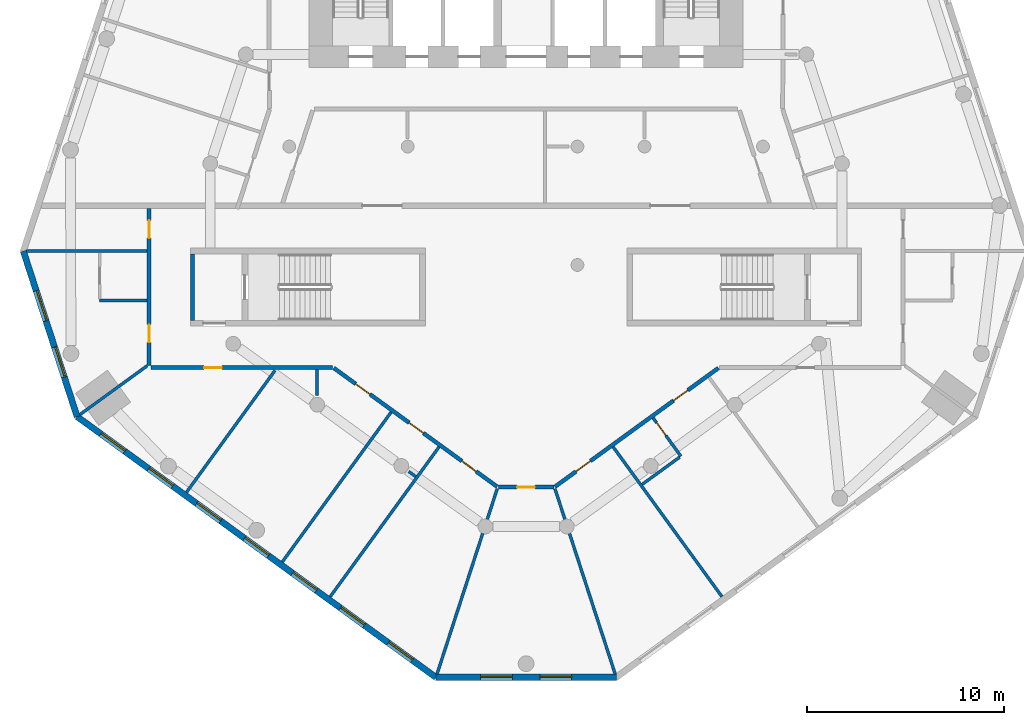
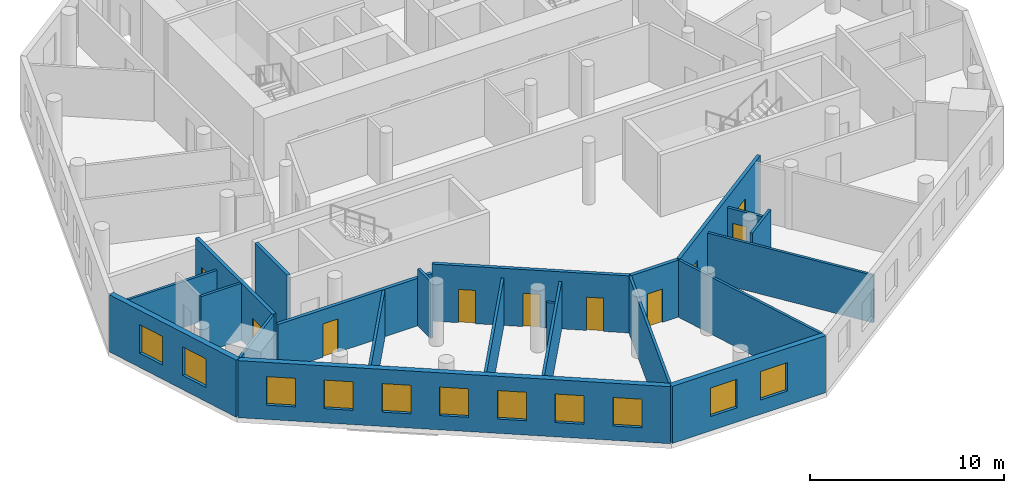
# One storey, part 2 of 9: 22 walls, 11 windows, 10 doors, 21 openings.
"""IFC4 building model written with IfcOpenShell, lengths in metres."""

from ifc_helpers import new_model, si_unit, direction, frame, frame_2d, origin, place, context, subcontext, project, spatial, rectangle, extrude, material, layer, layer_set, type_object, element, fill, save


model = new_model("IFC4")

# Units and contexts
model_context = context("Model", 3, precision=1e-05, world=origin(), true_north=direction((0.0, 1.0)))
body_context = subcontext(model_context, "Body", "Model", "MODEL_VIEW")
ifc_project = project(units=[si_unit("LENGTHUNIT", "METRE"), si_unit("AREAUNIT", "SQUARE_METRE"), si_unit("VOLUMEUNIT", "CUBIC_METRE"), si_unit("PLANEANGLEUNIT", "RADIAN"), si_unit("MASSUNIT", "GRAM", prefix="KILO")], contexts=[model_context])

# Site, building, storey
site_placement = place(None, origin())
site = spatial("IfcSite", under=ifc_project, at=site_placement, CompositionType="ELEMENT")
building_placement = place(site_placement, origin())
building = spatial("IfcBuilding", under=site, at=building_placement, Name="White Candle Pilgrim Tower", CompositionType="ELEMENT")
storey_placement = place(building_placement, frame((0.0, 0.0, 129.800048828125)))
storey = spatial("IfcBuildingStorey", under=building, at=storey_placement, Name="L29", CompositionType="ELEMENT", Elevation=129.800048828125)

# Wall
ifc_material_1 = material(Name="Concrete C60/75", Category="concrete")
ifc_layer_1 = layer(ifc_material_1, 0.199951171875)
ifc_layer_set_1 = layer_set([ifc_layer_1], Name="Core wall 200 mm Concrete C60/75")
wall_type_1 = type_object("IfcWallType", Name="Core wall 200 mm Concrete C60/75", PredefinedType="SHEAR", material=ifc_layer_set_1)
wall_1_placement = place(storey_placement, frame((53.10009765625, 58.199951171875, 0.0), z_axis=(0.0, 0.0, 1.0), x_axis=(0.0, 1.0, 0.0)))
element("IfcWall", 1, at=wall_1_placement, inside=storey, type_object=wall_type_1, Name="WL-L29-C03", PredefinedType="SHEAR", context=body_context, shape_type="SweptSolid", body=[
    extrude(rectangle(XDim=3.35009765625, YDim=0.199951171875, at=frame_2d((1.675048828125, 0.0))), origin(), (0.0, 0.0, 1.0), 3.89990234375),
])

# Wall, openings, doors
ifc_material_2 = material(Name="Gypsum board on steel studs", Category="steel")
ifc_layer_2 = layer(ifc_material_2, 0.199951171875)
ifc_layer_set_2 = layer_set([ifc_layer_2], Name="Corridor wall 200 mm EI 45")
wall_type_2 = type_object("IfcWallType", Name="Corridor wall 200 mm EI 45", PredefinedType="PARTITIONING", material=ifc_layer_set_2)
wall_2_placement = place(storey_placement, frame((79.7412109375, 55.781005859375, 0.0), z_axis=(0.0, 0.0, 1.0), x_axis=(-0.809014540142, -0.587788630239, 0.0)))
wall_2 = element("IfcWall", 2, at=wall_2_placement, inside=storey, type_object=wall_type_2, Name="WL-L29-P008", PredefinedType="PARTITIONING", context=body_context, shape_type="SweptSolid", body=[
    extrude(rectangle(XDim=10.2333984375, YDim=0.199951171875, at=frame_2d((5.11669921875, 0.0))), origin(), (0.0, 0.0, 1.0), 3.599853515625),
])
opening_1_placement = place(wall_2_placement, frame((8.014404296875, 0.0, 0.0)))
opening_1 = element("IfcOpeningElement", 3, at=opening_1_placement, cuts=wall_2, Name="Opening T09-108", PredefinedType="OPENING", context=body_context, shape_type="SweptSolid", body=[
    extrude(rectangle(XDim=0.89990234375, YDim=2.10009765625, at=frame_2d((0.449951171875, 1.050048828125))), frame((0.0, 0.10986328125, 0.0), z_axis=(0.0, -1.0, 0.0), x_axis=(1.0, 0.0, 0.0)), (0.0, 0.0, 1.0), 0.219970703125),
])
opening_2_placement = place(wall_2_placement, frame((1.91259765625, 0.0, 0.0)))
opening_2 = element("IfcOpeningElement", 4, at=opening_2_placement, cuts=wall_2, Name="Opening T09-110", PredefinedType="OPENING", context=body_context, shape_type="SweptSolid", body=[
    extrude(rectangle(XDim=0.89990234375, YDim=2.10009765625, at=frame_2d((0.449951171875, 1.050048828125))), frame((0.0, 0.10986328125, 0.0), z_axis=(0.0, -1.0, 0.0), x_axis=(1.0, 0.0, 0.0)), (0.0, 0.0, 1.0), 0.219970703125),
])
ifc_material_3 = material(Name="Steel door leaf", Category="steel")
door_type_1 = type_object("IfcDoorType", Name="Fire door 900 x 2100 EI 30", OperationType="NOTDEFINED", PredefinedType="DOOR", material=ifc_material_3)
door_1_placement = place(opening_1_placement, origin())
door_1 = element("IfcDoor", 5, at=door_1_placement, inside=storey, type_object=door_type_1, Name="Door T09-108", OperationType="SINGLE_SWING_RIGHT", OverallHeight=2.10009765625, OverallWidth=0.89990234375, PredefinedType="DOOR", context=body_context, shape_type="SweptSolid", body=[
    extrude(rectangle(XDim=0.89990234375, YDim=2.10009765625, at=frame_2d((0.449951171875, 1.050048828125))), frame((0.0, 0.02490234375, 0.0), z_axis=(0.0, -1.0, 0.0), x_axis=(1.0, 0.0, 0.0)), (0.0, 0.0, 1.0), 0.050048828125),
])
fill(opening_1, door_1)
door_2_placement = place(opening_2_placement, origin())
door_2 = element("IfcDoor", 6, at=door_2_placement, inside=storey, type_object=door_type_1, Name="Door T09-110", OperationType="SINGLE_SWING_RIGHT", OverallHeight=2.10009765625, OverallWidth=0.89990234375, PredefinedType="DOOR", context=body_context, shape_type="SweptSolid", body=[
    extrude(rectangle(XDim=0.89990234375, YDim=2.10009765625, at=frame_2d((0.449951171875, 1.050048828125))), frame((0.0, 0.02490234375, 0.0), z_axis=(0.0, -1.0, 0.0), x_axis=(1.0, 0.0, 0.0)), (0.0, 0.0, 1.0), 0.050048828125),
])
fill(opening_2, door_2)

# Wall, opening, door
wall_3_placement = place(storey_placement, frame((71.4033203125, 49.74658203125, 0.0), z_axis=(0.0, 0.0, 1.0), x_axis=(-1.0, 0.0, 0.0)))
wall_3 = element("IfcWall", 7, at=wall_3_placement, inside=storey, type_object=wall_type_2, Name="WL-L29-P009", PredefinedType="PARTITIONING", context=body_context, shape_type="SweptSolid", body=[
    extrude(rectangle(XDim=2.806640625, YDim=0.199951171875, at=frame_2d((1.4033203125, 0.0))), origin(), (0.0, 0.0, 1.0), 3.599853515625),
])
opening_3_placement = place(wall_3_placement, frame((0.953369140625, 0.0, 0.0)))
opening_3 = element("IfcOpeningElement", 8, at=opening_3_placement, cuts=wall_3, Name="Opening T09-107", PredefinedType="OPENING", context=body_context, shape_type="SweptSolid", body=[
    extrude(rectangle(XDim=0.89990234375, YDim=2.10009765625, at=frame_2d((0.449951171875, 1.050048828125))), frame((0.0, 0.10986328125, 0.0), z_axis=(0.0, -1.0, 0.0), x_axis=(1.0, 0.0, 0.0)), (0.0, 0.0, 1.0), 0.219970703125),
])
door_3_placement = place(opening_3_placement, origin())
door_3 = element("IfcDoor", 9, at=door_3_placement, inside=storey, type_object=door_type_1, Name="Door T09-107", OperationType="SINGLE_SWING_LEFT", OverallHeight=2.10009765625, OverallWidth=0.89990234375, PredefinedType="DOOR", context=body_context, shape_type="SweptSolid", body=[
    extrude(rectangle(XDim=0.89990234375, YDim=2.10009765625, at=frame_2d((0.449951171875, 1.050048828125))), frame((0.0, 0.02490234375, 0.0), z_axis=(0.0, -1.0, 0.0), x_axis=(1.0, 0.0, 0.0)), (0.0, 0.0, 1.0), 0.050048828125),
])
fill(opening_3, door_3)

# Wall, openings, doors
wall_4_placement = place(storey_placement, frame((68.537841796875, 49.765869140625, 0.0), z_axis=(0.0, 0.0, 1.0), x_axis=(-0.809014540142, 0.587788630239, 0.0)))
wall_4 = element("IfcWall", 10, at=wall_4_placement, inside=storey, type_object=wall_type_2, Name="WL-L29-P010", PredefinedType="PARTITIONING", context=body_context, shape_type="SweptSolid", body=[
    extrude(rectangle(XDim=10.2333984375, YDim=0.199951171875, at=frame_2d((5.11669921875, 0.0))), origin(), (0.0, 0.0, 1.0), 3.599853515625),
])
opening_4_placement = place(wall_4_placement, frame((7.968505859375, 0.0, 0.0)))
opening_4 = element("IfcOpeningElement", 11, at=opening_4_placement, cuts=wall_4, Name="Opening T09-104", PredefinedType="OPENING", context=body_context, shape_type="SweptSolid", body=[
    extrude(rectangle(XDim=0.89990234375, YDim=2.10009765625, at=frame_2d((0.449951171875, 1.050048828125))), frame((0.0, 0.10986328125, 0.0), z_axis=(0.0, -1.0, 0.0), x_axis=(1.0, 0.0, 0.0)), (0.0, 0.0, 1.0), 0.219970703125),
])
opening_5_placement = place(wall_4_placement, frame((4.620849609375, 0.0, 0.0)))
opening_5 = element("IfcOpeningElement", 12, at=opening_5_placement, cuts=wall_4, Name="Opening T09-105", PredefinedType="OPENING", context=body_context, shape_type="SweptSolid", body=[
    extrude(rectangle(XDim=0.89990234375, YDim=2.10009765625, at=frame_2d((0.449951171875, 1.050048828125))), frame((0.0, 0.10986328125, 0.0), z_axis=(0.0, -1.0, 0.0), x_axis=(1.0, 0.0, 0.0)), (0.0, 0.0, 1.0), 0.219970703125),
])
opening_6_placement = place(wall_4_placement, frame((1.319091796875, 0.0, 0.0)))
opening_6 = element("IfcOpeningElement", 13, at=opening_6_placement, cuts=wall_4, Name="Opening T09-106", PredefinedType="OPENING", context=body_context, shape_type="SweptSolid", body=[
    extrude(rectangle(XDim=0.89990234375, YDim=2.10009765625, at=frame_2d((0.449951171875, 1.050048828125))), frame((0.0, 0.10986328125, 0.0), z_axis=(0.0, -1.0, 0.0), x_axis=(1.0, 0.0, 0.0)), (0.0, 0.0, 1.0), 0.219970703125),
])
door_4_placement = place(opening_4_placement, origin())
door_4 = element("IfcDoor", 14, at=door_4_placement, inside=storey, type_object=door_type_1, Name="Door T09-104", OperationType="SINGLE_SWING_RIGHT", OverallHeight=2.10009765625, OverallWidth=0.89990234375, PredefinedType="DOOR", context=body_context, shape_type="SweptSolid", body=[
    extrude(rectangle(XDim=0.89990234375, YDim=2.10009765625, at=frame_2d((0.449951171875, 1.050048828125))), frame((0.0, 0.02490234375, 0.0), z_axis=(0.0, -1.0, 0.0), x_axis=(1.0, 0.0, 0.0)), (0.0, 0.0, 1.0), 0.050048828125),
])
fill(opening_4, door_4)
door_5_placement = place(opening_5_placement, origin())
door_5 = element("IfcDoor", 15, at=door_5_placement, inside=storey, type_object=door_type_1, Name="Door T09-105", OperationType="SINGLE_SWING_LEFT", OverallHeight=2.10009765625, OverallWidth=0.89990234375, PredefinedType="DOOR", context=body_context, shape_type="SweptSolid", body=[
    extrude(rectangle(XDim=0.89990234375, YDim=2.10009765625, at=frame_2d((0.449951171875, 1.050048828125))), frame((0.0, 0.02490234375, 0.0), z_axis=(0.0, -1.0, 0.0), x_axis=(1.0, 0.0, 0.0)), (0.0, 0.0, 1.0), 0.050048828125),
])
fill(opening_5, door_5)
door_6_placement = place(opening_6_placement, origin())
door_6 = element("IfcDoor", 16, at=door_6_placement, inside=storey, type_object=door_type_1, Name="Door T09-106", OperationType="SINGLE_SWING_RIGHT", OverallHeight=2.10009765625, OverallWidth=0.89990234375, PredefinedType="DOOR", context=body_context, shape_type="SweptSolid", body=[
    extrude(rectangle(XDim=0.89990234375, YDim=2.10009765625, at=frame_2d((0.449951171875, 1.050048828125))), frame((0.0, 0.02490234375, 0.0), z_axis=(0.0, -1.0, 0.0), x_axis=(1.0, 0.0, 0.0)), (0.0, 0.0, 1.0), 0.050048828125),
])
fill(opening_6, door_6)

# Wall, opening, door
wall_5_placement = place(storey_placement, frame((60.2001953125, 55.800048828125, 0.0), z_axis=(0.0, 0.0, 1.0), x_axis=(-1.0, 0.0, 0.0)))
wall_5 = element("IfcWall", 17, at=wall_5_placement, inside=storey, type_object=wall_type_2, Name="WL-L29-P011", PredefinedType="PARTITIONING", context=body_context, shape_type="SweptSolid", body=[
    extrude(rectangle(XDim=9.2001953125, YDim=0.199951171875, at=frame_2d((4.60009765625, 0.0))), origin(), (0.0, 0.0, 1.0), 3.0),
])
opening_7_placement = place(wall_5_placement, frame((5.6083984375, 0.0, 0.0)))
opening_7 = element("IfcOpeningElement", 18, at=opening_7_placement, cuts=wall_5, Name="Opening T09-103", PredefinedType="OPENING", context=body_context, shape_type="SweptSolid", body=[
    extrude(rectangle(XDim=0.89990234375, YDim=2.10009765625, at=frame_2d((0.449951171875, 1.050048828125))), frame((0.0, 0.10986328125, 0.0), z_axis=(0.0, -1.0, 0.0), x_axis=(1.0, 0.0, 0.0)), (0.0, 0.0, 1.0), 0.219970703125),
])
door_7_placement = place(opening_7_placement, origin())
door_7 = element("IfcDoor", 19, at=door_7_placement, inside=storey, type_object=door_type_1, Name="Door T09-103", OperationType="SINGLE_SWING_LEFT", OverallHeight=2.10009765625, OverallWidth=0.89990234375, PredefinedType="DOOR", context=body_context, shape_type="SweptSolid", body=[
    extrude(rectangle(XDim=0.89990234375, YDim=2.10009765625, at=frame_2d((0.449951171875, 1.050048828125))), frame((0.0, 0.02490234375, 0.0), z_axis=(0.0, -1.0, 0.0), x_axis=(1.0, 0.0, 0.0)), (0.0, 0.0, 1.0), 0.050048828125),
])
fill(opening_7, door_7)

# Wall, openings, doors
wall_6_placement = place(storey_placement, frame((50.89990234375, 55.89990234375, 0.0), z_axis=(0.0, 0.0, 1.0), x_axis=(0.0, 1.0, 0.0)))
wall_6 = element("IfcWall", 20, at=wall_6_placement, inside=storey, type_object=wall_type_2, Name="WL-L29-P012", PredefinedType="PARTITIONING", context=body_context, shape_type="SweptSolid", body=[
    extrude(rectangle(XDim=7.9501953125, YDim=0.199951171875, at=frame_2d((3.97509765625, 0.0))), origin(), (0.0, 0.0, 1.0), 3.599853515625),
])
opening_8_placement = place(wall_6_placement, frame((1.18212890625, 0.0, 0.0)))
opening_8 = element("IfcOpeningElement", 21, at=opening_8_placement, cuts=wall_6, Name="Opening T09-102", PredefinedType="OPENING", context=body_context, shape_type="SweptSolid", body=[
    extrude(rectangle(XDim=0.89990234375, YDim=2.10009765625, at=frame_2d((0.449951171875, 1.050048828125))), frame((0.0, 0.10986328125, 0.0), z_axis=(0.0, -1.0, 0.0), x_axis=(1.0, 0.0, 0.0)), (0.0, 0.0, 1.0), 0.219970703125),
])
opening_9_placement = place(wall_6_placement, frame((6.462158203125, 0.0, 0.0)))
opening_9 = element("IfcOpeningElement", 22, at=opening_9_placement, cuts=wall_6, Name="Opening T09-116", PredefinedType="OPENING", context=body_context, shape_type="SweptSolid", body=[
    extrude(rectangle(XDim=0.89990234375, YDim=2.10009765625, at=frame_2d((0.449951171875, 1.050048828125))), frame((0.0, 0.10986328125, 0.0), z_axis=(0.0, -1.0, 0.0), x_axis=(1.0, 0.0, 0.0)), (0.0, 0.0, 1.0), 0.219970703125),
])
door_8_placement = place(opening_8_placement, origin())
door_8 = element("IfcDoor", 23, at=door_8_placement, inside=storey, type_object=door_type_1, Name="Door T09-102", OperationType="SINGLE_SWING_RIGHT", OverallHeight=2.10009765625, OverallWidth=0.89990234375, PredefinedType="DOOR", context=body_context, shape_type="SweptSolid", body=[
    extrude(rectangle(XDim=0.89990234375, YDim=2.10009765625, at=frame_2d((0.449951171875, 1.050048828125))), frame((0.0, 0.02490234375, 0.0), z_axis=(0.0, -1.0, 0.0), x_axis=(1.0, 0.0, 0.0)), (0.0, 0.0, 1.0), 0.050048828125),
])
fill(opening_8, door_8)
door_9_placement = place(opening_9_placement, origin())
door_9 = element("IfcDoor", 24, at=door_9_placement, inside=storey, type_object=door_type_1, Name="Door T09-116", OperationType="SINGLE_SWING_RIGHT", OverallHeight=2.10009765625, OverallWidth=0.89990234375, PredefinedType="DOOR", context=body_context, shape_type="SweptSolid", body=[
    extrude(rectangle(XDim=0.89990234375, YDim=2.10009765625, at=frame_2d((0.449951171875, 1.050048828125))), frame((0.0, 0.02490234375, 0.0), z_axis=(0.0, -1.0, 0.0), x_axis=(1.0, 0.0, 0.0)), (0.0, 0.0, 1.0), 0.050048828125),
])
fill(opening_9, door_9)

# Wall, openings, windows
ifc_material_4 = material(Name="Precast concrete C40/50", Category="concrete")
ifc_layer_3 = layer(ifc_material_4, 0.320068359375)
ifc_layer_set_3 = layer_set([ifc_layer_3], Name="Facade wall EW1 precast concrete C40/50 pier wall with timber-lined reveals")
wall_type_3 = type_object("IfcWallType", Name="Facade wall EW1 precast concrete C40/50 pier wall with timber-lined reveals", PredefinedType="SOLIDWALL", material=ifc_layer_set_3)
wall_7_placement = place(storey_placement, frame((44.5283203125, 61.69921875, 0.0), z_axis=(0.0, 0.0, 1.0), x_axis=(0.309007169839, -0.951059708424, 0.0)))
wall_7 = element("IfcWall", 25, at=wall_7_placement, inside=storey, type_object=wall_type_3, Name="Facade wall L29 W chamfer", PredefinedType="SOLIDWALL", context=body_context, shape_type="SweptSolid", body=[
    extrude(rectangle(XDim=8.815673828125, YDim=0.320068359375, at=frame_2d((4.40771484375, 0.0))), origin(), (0.0, 0.0, 1.0), 3.599853515625),
])
opening_10_placement = place(wall_7_placement, frame((2.10791015625, 0.0, 0.89990234375)))
opening_10 = element("IfcOpeningElement", 26, at=opening_10_placement, cuts=wall_7, Name="Opening W2", PredefinedType="OPENING", context=body_context, shape_type="SweptSolid", body=[
    extrude(rectangle(XDim=1.60009765625, YDim=1.800048828125, at=frame_2d((0.800048828125, 0.89990234375))), frame((0.0, 0.169921875, 0.0), z_axis=(0.0, -1.0, 0.0), x_axis=(1.0, 0.0, 0.0)), (0.0, 0.0, 1.0), 0.340087890625),
])
opening_11_placement = place(wall_7_placement, frame((5.10791015625, 0.0, 0.89990234375)))
opening_11 = element("IfcOpeningElement", 27, at=opening_11_placement, cuts=wall_7, Name="Opening W2", PredefinedType="OPENING", context=body_context, shape_type="SweptSolid", body=[
    extrude(rectangle(XDim=1.60009765625, YDim=1.800048828125, at=frame_2d((0.800048828125, 0.89990234375))), frame((0.0, 0.169921875, 0.0), z_axis=(0.0, -1.0, 0.0), x_axis=(1.0, 0.0, 0.0)), (0.0, 0.0, 1.0), 0.340087890625),
])
ifc_material_5 = material(Name="Timber frame with triple glazing", Category="wood")
window_type_1 = type_object("IfcWindowType", Name="Window W2 1600x1800 timber frame triple glazing", PartitioningType="SINGLE_PANEL", PredefinedType="WINDOW", material=ifc_material_5)
window_1_placement = place(opening_10_placement, origin())
window_1 = element("IfcWindow", 28, at=window_1_placement, inside=storey, type_object=window_type_1, Name="Window W2 L29 W chamfer 1", OverallHeight=1.800048828125, OverallWidth=1.60009765625, PartitioningType="SINGLE_PANEL", PredefinedType="WINDOW", context=body_context, shape_type="SweptSolid", body=[
    extrude(rectangle(XDim=1.60009765625, YDim=1.800048828125, at=frame_2d((0.800048828125, 0.89990234375))), frame((0.0, 0.070068359375, 0.0), z_axis=(0.0, -1.0, 0.0), x_axis=(1.0, 0.0, 0.0)), (0.0, 0.0, 1.0), 0.06005859375),
])
fill(opening_10, window_1)
window_2_placement = place(opening_11_placement, origin())
window_2 = element("IfcWindow", 29, at=window_2_placement, inside=storey, type_object=window_type_1, Name="Window W2 L29 W chamfer 2", OverallHeight=1.800048828125, OverallWidth=1.60009765625, PartitioningType="SINGLE_PANEL", PredefinedType="WINDOW", context=body_context, shape_type="SweptSolid", body=[
    extrude(rectangle(XDim=1.60009765625, YDim=1.800048828125, at=frame_2d((0.800048828125, 0.89990234375))), frame((0.0, 0.070068359375, 0.0), z_axis=(0.0, -1.0, 0.0), x_axis=(1.0, 0.0, 0.0)), (0.0, 0.0, 1.0), 0.06005859375),
])
fill(opening_11, window_2)

wall_8_placement = place(storey_placement, frame((47.25244140625, 53.31494140625, 0.0), z_axis=(0.0, 0.0, 1.0), x_axis=(0.809018352132, -0.587783383496, 0.0)))
wall_8 = element("IfcWall", 30, at=wall_8_placement, inside=storey, type_object=wall_type_3, Name="Facade wall L29 SW", PredefinedType="SOLIDWALL", context=body_context, shape_type="SweptSolid", body=[
    extrude(rectangle(XDim=22.47119140625, YDim=0.320068359375, at=frame_2d((11.235595703125, 0.0))), origin(), (0.0, 0.0, 1.0), 3.599853515625),
])
opening_12_placement = place(wall_8_placement, frame((1.485595703125, 0.0, 0.89990234375)))
opening_12 = element("IfcOpeningElement", 31, at=opening_12_placement, cuts=wall_8, Name="Opening W1", PredefinedType="OPENING", context=body_context, shape_type="SweptSolid", body=[
    extrude(rectangle(XDim=1.5, YDim=1.800048828125, at=frame_2d((0.75, 0.89990234375))), frame((0.0, 0.169921875, 0.0), z_axis=(0.0, -1.0, 0.0), x_axis=(1.0, 0.0, 0.0)), (0.0, 0.0, 1.0), 0.340087890625),
])
opening_13_placement = place(wall_8_placement, frame((4.485595703125, 0.0, 0.89990234375)))
opening_13 = element("IfcOpeningElement", 32, at=opening_13_placement, cuts=wall_8, Name="Opening W1", PredefinedType="OPENING", context=body_context, shape_type="SweptSolid", body=[
    extrude(rectangle(XDim=1.5, YDim=1.800048828125, at=frame_2d((0.75, 0.89990234375))), frame((0.0, 0.169921875, 0.0), z_axis=(0.0, -1.0, 0.0), x_axis=(1.0, 0.0, 0.0)), (0.0, 0.0, 1.0), 0.340087890625),
])
opening_14_placement = place(wall_8_placement, frame((7.485595703125, 0.0, 0.89990234375)))
opening_14 = element("IfcOpeningElement", 33, at=opening_14_placement, cuts=wall_8, Name="Opening W1", PredefinedType="OPENING", context=body_context, shape_type="SweptSolid", body=[
    extrude(rectangle(XDim=1.5, YDim=1.800048828125, at=frame_2d((0.75, 0.89990234375))), frame((0.0, 0.169921875, 0.0), z_axis=(0.0, -1.0, 0.0), x_axis=(1.0, 0.0, 0.0)), (0.0, 0.0, 1.0), 0.340087890625),
])
opening_15_placement = place(wall_8_placement, frame((10.485595703125, 0.0, 0.89990234375)))
opening_15 = element("IfcOpeningElement", 34, at=opening_15_placement, cuts=wall_8, Name="Opening W1", PredefinedType="OPENING", context=body_context, shape_type="SweptSolid", body=[
    extrude(rectangle(XDim=1.5, YDim=1.800048828125, at=frame_2d((0.75, 0.89990234375))), frame((0.0, 0.169921875, 0.0), z_axis=(0.0, -1.0, 0.0), x_axis=(1.0, 0.0, 0.0)), (0.0, 0.0, 1.0), 0.340087890625),
])
opening_16_placement = place(wall_8_placement, frame((13.485595703125, 0.0, 0.89990234375)))
opening_16 = element("IfcOpeningElement", 35, at=opening_16_placement, cuts=wall_8, Name="Opening W1", PredefinedType="OPENING", context=body_context, shape_type="SweptSolid", body=[
    extrude(rectangle(XDim=1.5, YDim=1.800048828125, at=frame_2d((0.75, 0.89990234375))), frame((0.0, 0.169921875, 0.0), z_axis=(0.0, -1.0, 0.0), x_axis=(1.0, 0.0, 0.0)), (0.0, 0.0, 1.0), 0.340087890625),
])
opening_17_placement = place(wall_8_placement, frame((16.485595703125, 0.0, 0.89990234375)))
opening_17 = element("IfcOpeningElement", 36, at=opening_17_placement, cuts=wall_8, Name="Opening W1", PredefinedType="OPENING", context=body_context, shape_type="SweptSolid", body=[
    extrude(rectangle(XDim=1.5, YDim=1.800048828125, at=frame_2d((0.75, 0.89990234375))), frame((0.0, 0.169921875, 0.0), z_axis=(0.0, -1.0, 0.0), x_axis=(1.0, 0.0, 0.0)), (0.0, 0.0, 1.0), 0.340087890625),
])
opening_18_placement = place(wall_8_placement, frame((19.485595703125, 0.0, 0.89990234375)))
opening_18 = element("IfcOpeningElement", 37, at=opening_18_placement, cuts=wall_8, Name="Opening W1", PredefinedType="OPENING", context=body_context, shape_type="SweptSolid", body=[
    extrude(rectangle(XDim=1.5, YDim=1.800048828125, at=frame_2d((0.75, 0.89990234375))), frame((0.0, 0.169921875, 0.0), z_axis=(0.0, -1.0, 0.0), x_axis=(1.0, 0.0, 0.0)), (0.0, 0.0, 1.0), 0.340087890625),
])
window_type_2 = type_object("IfcWindowType", Name="Window W1 1500x1800 timber frame triple glazing", PartitioningType="SINGLE_PANEL", PredefinedType="WINDOW", material=ifc_material_5)
window_3_placement = place(opening_12_placement, origin())
window_3 = element("IfcWindow", 38, at=window_3_placement, inside=storey, type_object=window_type_2, Name="Window W1 L29 SW 1", OverallHeight=1.800048828125, OverallWidth=1.5, PartitioningType="SINGLE_PANEL", PredefinedType="WINDOW", context=body_context, shape_type="SweptSolid", body=[
    extrude(rectangle(XDim=1.5, YDim=1.800048828125, at=frame_2d((0.75, 0.89990234375))), frame((0.0, 0.070068359375, 0.0), z_axis=(0.0, -1.0, 0.0), x_axis=(1.0, 0.0, 0.0)), (0.0, 0.0, 1.0), 0.06005859375),
])
fill(opening_12, window_3)
window_4_placement = place(opening_13_placement, origin())
window_4 = element("IfcWindow", 39, at=window_4_placement, inside=storey, type_object=window_type_2, Name="Window W1 L29 SW 2", OverallHeight=1.800048828125, OverallWidth=1.5, PartitioningType="SINGLE_PANEL", PredefinedType="WINDOW", context=body_context, shape_type="SweptSolid", body=[
    extrude(rectangle(XDim=1.5, YDim=1.800048828125, at=frame_2d((0.75, 0.89990234375))), frame((0.0, 0.070068359375, 0.0), z_axis=(0.0, -1.0, 0.0), x_axis=(1.0, 0.0, 0.0)), (0.0, 0.0, 1.0), 0.06005859375),
])
fill(opening_13, window_4)
window_5_placement = place(opening_14_placement, origin())
window_5 = element("IfcWindow", 40, at=window_5_placement, inside=storey, type_object=window_type_2, Name="Window W1 L29 SW 3", OverallHeight=1.800048828125, OverallWidth=1.5, PartitioningType="SINGLE_PANEL", PredefinedType="WINDOW", context=body_context, shape_type="SweptSolid", body=[
    extrude(rectangle(XDim=1.5, YDim=1.800048828125, at=frame_2d((0.75, 0.89990234375))), frame((0.0, 0.070068359375, 0.0), z_axis=(0.0, -1.0, 0.0), x_axis=(1.0, 0.0, 0.0)), (0.0, 0.0, 1.0), 0.06005859375),
])
fill(opening_14, window_5)
window_6_placement = place(opening_15_placement, origin())
window_6 = element("IfcWindow", 41, at=window_6_placement, inside=storey, type_object=window_type_2, Name="Window W1 L29 SW 4", OverallHeight=1.800048828125, OverallWidth=1.5, PartitioningType="SINGLE_PANEL", PredefinedType="WINDOW", context=body_context, shape_type="SweptSolid", body=[
    extrude(rectangle(XDim=1.5, YDim=1.800048828125, at=frame_2d((0.75, 0.89990234375))), frame((0.0, 0.070068359375, 0.0), z_axis=(0.0, -1.0, 0.0), x_axis=(1.0, 0.0, 0.0)), (0.0, 0.0, 1.0), 0.06005859375),
])
fill(opening_15, window_6)
window_7_placement = place(opening_16_placement, origin())
window_7 = element("IfcWindow", 42, at=window_7_placement, inside=storey, type_object=window_type_2, Name="Window W1 L29 SW 5", OverallHeight=1.800048828125, OverallWidth=1.5, PartitioningType="SINGLE_PANEL", PredefinedType="WINDOW", context=body_context, shape_type="SweptSolid", body=[
    extrude(rectangle(XDim=1.5, YDim=1.800048828125, at=frame_2d((0.75, 0.89990234375))), frame((0.0, 0.070068359375, 0.0), z_axis=(0.0, -1.0, 0.0), x_axis=(1.0, 0.0, 0.0)), (0.0, 0.0, 1.0), 0.06005859375),
])
fill(opening_16, window_7)
window_8_placement = place(opening_17_placement, origin())
window_8 = element("IfcWindow", 43, at=window_8_placement, inside=storey, type_object=window_type_2, Name="Window W1 L29 SW 6", OverallHeight=1.800048828125, OverallWidth=1.5, PartitioningType="SINGLE_PANEL", PredefinedType="WINDOW", context=body_context, shape_type="SweptSolid", body=[
    extrude(rectangle(XDim=1.5, YDim=1.800048828125, at=frame_2d((0.75, 0.89990234375))), frame((0.0, 0.070068359375, 0.0), z_axis=(0.0, -1.0, 0.0), x_axis=(1.0, 0.0, 0.0)), (0.0, 0.0, 1.0), 0.06005859375),
])
fill(opening_17, window_8)
window_9_placement = place(opening_18_placement, origin())
window_9 = element("IfcWindow", 44, at=window_9_placement, inside=storey, type_object=window_type_2, Name="Window W1 L29 SW 7", OverallHeight=1.800048828125, OverallWidth=1.5, PartitioningType="SINGLE_PANEL", PredefinedType="WINDOW", context=body_context, shape_type="SweptSolid", body=[
    extrude(rectangle(XDim=1.5, YDim=1.800048828125, at=frame_2d((0.75, 0.89990234375))), frame((0.0, 0.070068359375, 0.0), z_axis=(0.0, -1.0, 0.0), x_axis=(1.0, 0.0, 0.0)), (0.0, 0.0, 1.0), 0.06005859375),
])
fill(opening_18, window_9)

wall_9_placement = place(storey_placement, frame((65.43212890625, 40.106689453125, 0.0), z_axis=(0.0, 0.0, 1.0), x_axis=(1.0, 0.0, 0.0)))
wall_9 = element("IfcWall", 45, at=wall_9_placement, inside=storey, type_object=wall_type_3, Name="Facade wall L29 S chamfer", PredefinedType="SOLIDWALL", context=body_context, shape_type="SweptSolid", body=[
    extrude(rectangle(XDim=9.1357421875, YDim=0.320068359375, at=frame_2d((4.56787109375, 0.0))), origin(), (0.0, 0.0, 1.0), 3.599853515625),
])
opening_19_placement = place(wall_9_placement, frame((2.26806640625, 0.0, 0.89990234375)))
opening_19 = element("IfcOpeningElement", 46, at=opening_19_placement, cuts=wall_9, Name="Opening W2", PredefinedType="OPENING", context=body_context, shape_type="SweptSolid", body=[
    extrude(rectangle(XDim=1.60009765625, YDim=1.800048828125, at=frame_2d((0.800048828125, 0.89990234375))), frame((0.0, 0.169921875, 0.0), z_axis=(0.0, -1.0, 0.0), x_axis=(1.0, 0.0, 0.0)), (0.0, 0.0, 1.0), 0.340087890625),
])
opening_20_placement = place(wall_9_placement, frame((5.26806640625, 0.0, 0.89990234375)))
opening_20 = element("IfcOpeningElement", 47, at=opening_20_placement, cuts=wall_9, Name="Opening W2", PredefinedType="OPENING", context=body_context, shape_type="SweptSolid", body=[
    extrude(rectangle(XDim=1.60009765625, YDim=1.800048828125, at=frame_2d((0.800048828125, 0.89990234375))), frame((0.0, 0.169921875, 0.0), z_axis=(0.0, -1.0, 0.0), x_axis=(1.0, 0.0, 0.0)), (0.0, 0.0, 1.0), 0.340087890625),
])
window_10_placement = place(opening_19_placement, origin())
window_10 = element("IfcWindow", 48, at=window_10_placement, inside=storey, type_object=window_type_1, Name="Window W2 L29 S chamfer 1", OverallHeight=1.800048828125, OverallWidth=1.60009765625, PartitioningType="SINGLE_PANEL", PredefinedType="WINDOW", context=body_context, shape_type="SweptSolid", body=[
    extrude(rectangle(XDim=1.60009765625, YDim=1.800048828125, at=frame_2d((0.800048828125, 0.89990234375))), frame((0.0, 0.070068359375, 0.0), z_axis=(0.0, -1.0, 0.0), x_axis=(1.0, 0.0, 0.0)), (0.0, 0.0, 1.0), 0.06005859375),
])
fill(opening_19, window_10)
window_11_placement = place(opening_20_placement, origin())
window_11 = element("IfcWindow", 49, at=window_11_placement, inside=storey, type_object=window_type_1, Name="Window W2 L29 S chamfer 2", OverallHeight=1.800048828125, OverallWidth=1.60009765625, PartitioningType="SINGLE_PANEL", PredefinedType="WINDOW", context=body_context, shape_type="SweptSolid", body=[
    extrude(rectangle(XDim=1.60009765625, YDim=1.800048828125, at=frame_2d((0.800048828125, 0.89990234375))), frame((0.0, 0.070068359375, 0.0), z_axis=(0.0, -1.0, 0.0), x_axis=(1.0, 0.0, 0.0)), (0.0, 0.0, 1.0), 0.06005859375),
])
fill(opening_20, window_11)

# Walls
ifc_layer_4 = layer(ifc_material_2, 0.14990234375)
ifc_layer_set_4 = layer_set([ifc_layer_4], Name="Partition 150 mm EI 60")
wall_type_4 = type_object("IfcWallType", Name="Partition 150 mm EI 60", PredefinedType="PARTITIONING", material=ifc_layer_set_4)
wall_10_placement = place(storey_placement, frame((44.6962890625, 61.69921875, 0.0), z_axis=(0.0, 0.0, 1.0), x_axis=(1.0, 0.0, 0.0)))
element("IfcWall", 50, at=wall_10_placement, inside=storey, type_object=wall_type_4, Name="WL-L29-P017", PredefinedType="PARTITIONING", context=body_context, shape_type="SweptSolid", body=[
    extrude(rectangle(XDim=6.103759765625, YDim=0.14990234375, at=frame_2d((3.0517578125, 0.0))), origin(), (0.0, 0.0, 1.0), 2.89990234375),
])
wall_11_placement = place(storey_placement, frame((47.388427734375, 53.413818359375, 0.0), z_axis=(0.0, 0.0, 1.0), x_axis=(0.809033589119, 0.587762410909, 0.0)))
element("IfcWall", 51, at=wall_11_placement, inside=storey, type_object=wall_type_4, Name="WL-L29-P018", PredefinedType="PARTITIONING", context=body_context, shape_type="SweptSolid", body=[
    extrude(rectangle(XDim=4.221435546875, YDim=0.14990234375, at=frame_2d((2.11083984375, 0.0))), origin(), (0.0, 0.0, 1.0), 3.599853515625),
])
for number, where, z_axis, x_axis, name in (
    (52, (65.48388671875, 40.2666015625, 0.0), (0.0, 0.0, 1.0), (0.309015131176, 0.951057121683, 0.0), "WL-L29-P019"),
    (53, (74.51611328125, 40.2666015625, 0.0), (0.0, 0.0, 1.0), (-0.309015131176, 0.951057121683, 0.0), "WL-L29-P020"),
):
    element("IfcWall", number, at=place(storey_placement, frame(where, z_axis=z_axis, x_axis=x_axis)), inside=storey, type_object=wall_type_4, Name=name, PredefinedType="PARTITIONING", context=body_context, shape_type="SweptSolid", body=[
        extrude(rectangle(XDim=9.8828125, YDim=0.14990234375, at=frame_2d((4.94140625, 0.0))), origin(), (0.0, 0.0, 1.0), 3.599853515625),
    ])
wall_12_placement = place(storey_placement, frame((50.800048828125, 59.19921875, 0.0), z_axis=(0.0, 0.0, 1.0), x_axis=(-1.0, 0.0, 0.0)))
element("IfcWall", 54, at=wall_12_placement, inside=storey, type_object=wall_type_4, Name="WL-L29-P026", PredefinedType="PARTITIONING", context=body_context, shape_type="SweptSolid", body=[
    extrude(rectangle(XDim=2.400146484375, YDim=0.14990234375, at=frame_2d((1.2001953125, 0.0))), origin(), (0.0, 0.0, 1.0), 3.599853515625),
])
wall_13_placement = place(storey_placement, frame((52.795654296875, 49.4853515625, 0.0), z_axis=(0.0, 0.0, 1.0), x_axis=(0.587777660072, 0.809022510392, 0.0)))
element("IfcWall", 55, at=wall_13_placement, inside=storey, type_object=wall_type_4, Name="WL-L29-P028", PredefinedType="PARTITIONING", context=body_context, shape_type="SweptSolid", body=[
    extrude(rectangle(XDim=7.627197265625, YDim=0.14990234375, at=frame_2d((3.8134765625, 0.0))), origin(), (0.0, 0.0, 1.0), 3.0),
])
for number, where, z_axis, x_axis, name in (
    (56, (57.64990234375, 45.95849609375, 0.0), (0.0, 0.0, 1.0), (0.58776614844, 0.809030873792, 0.0), "WL-L29-P029"),
    (57, (60.076904296875, 44.1953125, 0.0), (0.0, 0.0, 1.0), (0.587795561305, 0.809009504339, 0.0), "WL-L29-P030"),
    (58, (79.923095703125, 44.1953125, 0.0), (0.0, 0.0, 1.0), (-0.587795561305, 0.809009504339, 0.0), "WL-L29-P031"),
):
    element("IfcWall", number, at=place(storey_placement, frame(where, z_axis=z_axis, x_axis=x_axis)), inside=storey, type_object=wall_type_4, Name=name, PredefinedType="PARTITIONING", context=body_context, shape_type="SweptSolid", body=[
        extrude(rectangle(XDim=9.3798828125, YDim=0.14990234375, at=frame_2d((4.68994140625, 0.0))), origin(), (0.0, 0.0, 1.0), 3.0),
    ])

# Wall, opening, door
wall_14_placement = place(storey_placement, frame((76.432373046875, 53.25341796875, 0.0), z_axis=(0.0, 0.0, 1.0), x_axis=(0.587724050354, -0.809061456649, 0.0)))
wall_14 = element("IfcWall", 59, at=wall_14_placement, inside=storey, type_object=wall_type_4, Name="WL-L29-P033", PredefinedType="PARTITIONING", context=body_context, shape_type="SweptSolid", body=[
    extrude(rectangle(XDim=2.400146484375, YDim=0.14990234375, at=frame_2d((1.2001953125, 0.0))), origin(), (0.0, 0.0, 1.0), 3.0),
])
opening_21_placement = place(wall_14_placement, frame((0.300048828125, 0.0, 0.0)))
opening_21 = element("IfcOpeningElement", 60, at=opening_21_placement, cuts=wall_14, Name="Opening T09-109", PredefinedType="OPENING", context=body_context, shape_type="SweptSolid", body=[
    extrude(rectangle(XDim=0.800048828125, YDim=2.10009765625, at=frame_2d((0.39990234375, 1.050048828125))), frame((0.0, 0.0849609375, 0.0), z_axis=(0.0, -1.0, 0.0), x_axis=(1.0, 0.0, 0.0)), (0.0, 0.0, 1.0), 0.169921875),
])
door_type_2 = type_object("IfcDoorType", Name="Fire door 800 x 2100 EI 30", OperationType="NOTDEFINED", PredefinedType="DOOR", material=ifc_material_3)
door_10_placement = place(opening_21_placement, origin())
door_10 = element("IfcDoor", 61, at=door_10_placement, inside=storey, type_object=door_type_2, Name="Door T09-109", OperationType="SINGLE_SWING_LEFT", OverallHeight=2.10009765625, OverallWidth=0.800048828125, PredefinedType="DOOR", context=body_context, shape_type="SweptSolid", body=[
    extrude(rectangle(XDim=0.800048828125, YDim=2.10009765625, at=frame_2d((0.39990234375, 1.050048828125))), frame((0.0, 0.02490234375, 0.0), z_axis=(0.0, -1.0, 0.0), x_axis=(1.0, 0.0, 0.0)), (0.0, 0.0, 1.0), 0.050048828125),
])
fill(opening_21, door_10)

# Walls
wall_15_placement = place(storey_placement, frame((75.881103515625, 49.88623046875, 0.0), z_axis=(0.0, 0.0, 1.0), x_axis=(0.808996573949, 0.587813357571, 0.0)))
element("IfcWall", 62, at=wall_15_placement, inside=storey, type_object=wall_type_4, Name="WL-L29-P034", PredefinedType="PARTITIONING", context=body_context, shape_type="SweptSolid", body=[
    extrude(rectangle(XDim=2.35009765625, YDim=0.14990234375, at=frame_2d((1.175048828125, 0.0))), origin(), (0.0, 0.0, 1.0), 3.599853515625),
])
wall_16_placement = place(storey_placement, frame((59.417724609375, 54.385009765625, 0.0), z_axis=(0.0, 0.0, 1.0), x_axis=(0.0, 1.0, 0.0)))
element("IfcWall", 63, at=wall_16_placement, inside=storey, type_object=wall_type_4, Name="WL-L29-P040", PredefinedType="PARTITIONING", context=body_context, shape_type="SweptSolid", body=[
    extrude(rectangle(XDim=1.31494140625, YDim=0.14990234375, at=frame_2d((0.657470703125, 0.0))), origin(), (0.0, 0.0, 1.0), 3.599853515625),
])
wall_17_placement = place(storey_placement, frame((64.050537109375, 50.539306640625, 0.0), z_axis=(0.0, 0.0, 1.0), x_axis=(0.808784156447, -0.588105592798, 0.0)))
element("IfcWall", 64, at=wall_17_placement, inside=storey, type_object=wall_type_4, Name="WL-L29-P041", PredefinedType="PARTITIONING", context=body_context, shape_type="SweptSolid", body=[
    extrude(rectangle(XDim=0.439208984375, YDim=0.14990234375, at=frame_2d((0.2197265625, 0.0))), origin(), (0.0, 0.0, 1.0), 3.0),
])

save(model, "model.ifc")
